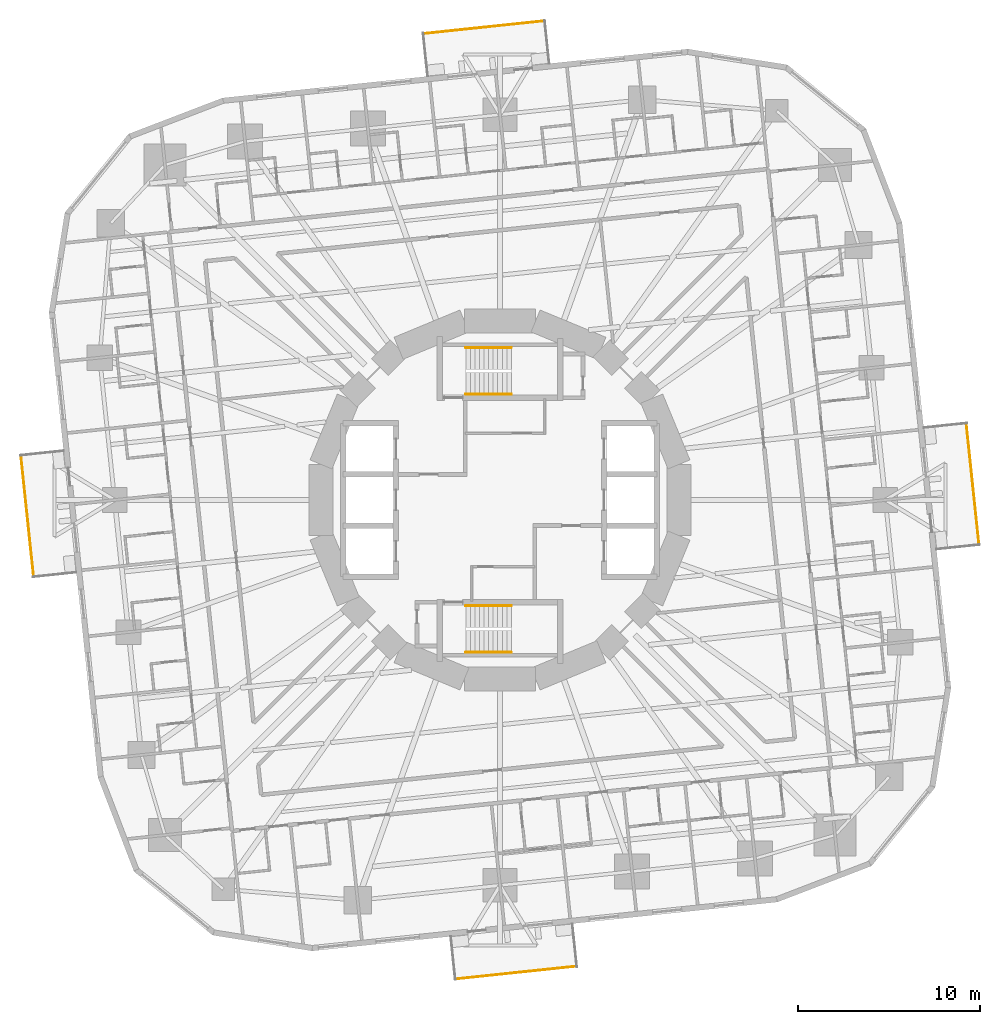
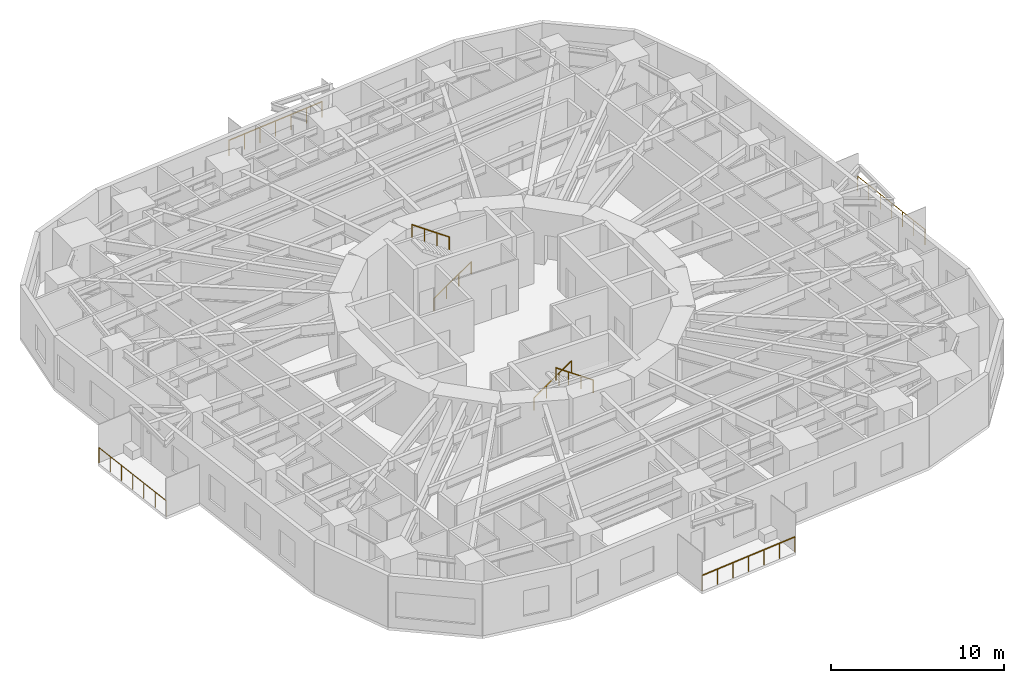
# One storey, part 14 of 15: 8 railings.
"""IFC4 building model written with IfcOpenShell, lengths in metres."""

import ifcopenshell
import ifcopenshell.guid

model = None  # the IFC model being written
_history = None  # IfcOwnerHistory: only IFC2X3 demands one
_inside = {}  # id of a spatial element -> (the spatial element, [elements in it])
_under = {}  # id of a project, library or spatial element -> (it, [spatial elements below it])
_declared = {}  # id of a project -> (the project, [libraries it declares])
_typed = {}  # id of a type object -> (the type object, [elements of that type])
_made_of = {}  # id of a material, layer set ... -> (it, [elements and type objects made of it])


def new_model(schema):
    """Start an empty IFC model of exactly this schema.

    Asked for "IFC4X3", IfcOpenShell would pick the latest addendum, in which some entities
    have other attributes; the version numbers below select the first issue.
    IFC2X3 requires an IfcOwnerHistory on every rooted entity: one is made here for all.
    """
    global model, _history
    if schema == "IFC4X3":
        model = ifcopenshell.file(schema_version=(4, 3, 0, 0))
    else:
        model = ifcopenshell.file(schema=schema)
    _inside.clear()
    _under.clear()
    _declared.clear()
    _typed.clear()
    _made_of.clear()
    _history = None
    if model.schema == "IFC2X3":
        org = make("IfcOrganization", Name="unknown")
        user = make(
            "IfcPersonAndOrganization",
            ThePerson=make("IfcPerson", FamilyName="unknown"),
            TheOrganization=org,
        )
        app = make(
            "IfcApplication",
            ApplicationDeveloper=org,
            Version="unknown",
            ApplicationFullName="unknown",
            ApplicationIdentifier="unknown",
        )
        _history = make(
            "IfcOwnerHistory",
            OwningUser=user,
            OwningApplication=app,
            ChangeAction="ADDED",
            CreationDate=0,
        )
    return model


def make(cls, **values):
    """One entity of the class cls with the attributes given. An attribute that is None is left unset."""
    return model.create_entity(
        cls, **{name: value for name, value in values.items() if value is not None}
    )


def rooted(cls, **values):
    """An entity with a GlobalId (a new one), such as an element, a storey or a relation."""
    return make(cls, GlobalId=ifcopenshell.guid.new(), OwnerHistory=_history, **values)


def si_unit(unit_type, name, prefix=None):
    """IfcSIUnit, for example si_unit("LENGTHUNIT", "METRE", prefix="MILLI")."""
    return make("IfcSIUnit", UnitType=unit_type, Prefix=prefix, Name=name)


def assignment(units):
    """IfcUnitAssignment: the units of a project."""
    return None if units is None else make("IfcUnitAssignment", Units=units)


def point(xyz):
    """IfcCartesianPoint."""
    return None if xyz is None else make("IfcCartesianPoint", Coordinates=xyz)


def direction(xyz):
    """IfcDirection."""
    return None if xyz is None else make("IfcDirection", DirectionRatios=xyz)


def frame(location, z_axis=None, x_axis=None):
    """IfcAxis2Placement3D, a coordinate frame: its origin and axes. An axis left out is left unset."""
    return make(
        "IfcAxis2Placement3D",
        Location=point(location),
        Axis=direction(z_axis),
        RefDirection=direction(x_axis),
    )


def frame_2d(location, x_axis=None):
    """IfcAxis2Placement2D, a coordinate frame in the plane: its origin and x axis."""
    return make(
        "IfcAxis2Placement2D", Location=point(location), RefDirection=direction(x_axis)
    )


def origin():
    """The frame at (0, 0, 0) with its axes left unset."""
    return frame((0.0, 0.0, 0.0))


def origin_2d():
    """The frame at (0, 0) in the plane with its x axis left unset."""
    return frame_2d((0.0, 0.0))


def place(relative_to, where):
    """IfcLocalPlacement: puts the frame where relative to a parent placement (None: the world)."""
    return make(
        "IfcLocalPlacement", PlacementRelTo=relative_to, RelativePlacement=where
    )


def context(
    kind, dimensions, precision=None, world=None, true_north=None, identifier=None
):
    """IfcGeometricRepresentationContext, for example the 3D "Model" context."""
    return make(
        "IfcGeometricRepresentationContext",
        ContextIdentifier=identifier,
        ContextType=kind,
        CoordinateSpaceDimension=dimensions,
        Precision=precision,
        WorldCoordinateSystem=world,
        TrueNorth=true_north,
    )


def subcontext(parent, identifier, kind, view, scale=None):
    """IfcGeometricRepresentationSubContext, for example "Body" below "Model"."""
    return make(
        "IfcGeometricRepresentationSubContext",
        ContextIdentifier=identifier,
        ContextType=kind,
        ParentContext=parent,
        TargetScale=scale,
        TargetView=view,
    )


def project(units=None, contexts=None):
    """IfcProject with its units and contexts."""
    return rooted(
        "IfcProject",
        Name="project",
        RepresentationContexts=contexts,
        UnitsInContext=assignment(units),
    )


def spatial(cls, under=None, at=None, **own):
    """A site, building, storey or space (cls), placed at a placement, below another one or the project."""
    s = rooted(cls, ObjectPlacement=at, **own)
    if under is not None:
        _under.setdefault(under.id(), (under, []))[1].append(s)
    return s


def profile(cls, at=None, kind="AREA", **sizes):
    """A parametric profile (cls). Its sizes go by their IFC names, for example OverallWidth=200.0."""
    return make(cls, ProfileType=kind, Position=at, **sizes)


def circle(**sizes):
    """IfcCircleProfileDef."""
    return profile("IfcCircleProfileDef", **sizes)


def extrude(swept, where, along, depth):
    """IfcExtrudedAreaSolid: the profile swept, set in the frame where, extruded along a direction by depth."""
    return make(
        "IfcExtrudedAreaSolid",
        SweptArea=swept,
        Position=where,
        ExtrudedDirection=direction(along),
        Depth=depth,
    )


def shape(context_of_items, identifier, shape_type, items):
    """IfcShapeRepresentation: the items that make up one representation, for example the "Body"."""
    return make(
        "IfcShapeRepresentation",
        ContextOfItems=context_of_items,
        RepresentationIdentifier=identifier,
        RepresentationType=shape_type,
        Items=items,
    )


def material(Name=None, Category=None):
    """IfcMaterial."""
    return make("IfcMaterial", Name=Name, Category=Category)


def made_of(thing, what):
    """Note that an element or type object is made of a material, layer set ...; save() writes the relation."""
    if what is not None:
        _made_of.setdefault(what.id(), (what, []))[1].append(thing)
    return thing


def type_object(cls, material=None, **own):
    """A type object (cls), such as IfcWallType, which elements share."""
    return made_of(rooted(cls, **own), material)


def element(
    cls,
    number,
    at=None,
    inside=None,
    cuts=None,
    type_object=None,
    material=None,
    context=None,
    identifier="Body",
    shape_type=None,
    held_by="IfcProductDefinitionShape",
    body=None,
    shapes=None,
    **own,
):
    """One element of the class cls, such as IfcWall. Its Tag is "e" and its number.

    at: its placement. inside: the storey or other place that contains it. cuts: it is an
    opening in that element (IfcRelVoidsElement). A single representation is given by context,
    identifier, shape_type and body (its items); several are given by shapes. held_by: the class
    of the entity that holds the representations. save() writes the other relations.
    """
    e = rooted(cls, Tag="e%d" % number, ObjectPlacement=at, **own)
    if body is not None:
        shapes = [shape(context, identifier, shape_type, body)]
    if shapes is not None:
        e.Representation = make(held_by, Representations=shapes)
    if inside is not None:
        _inside.setdefault(inside.id(), (inside, []))[1].append(e)
    if cuts is not None:
        rooted(
            "IfcRelVoidsElement", RelatingBuildingElement=cuts, RelatedOpeningElement=e
        )
    if type_object is not None:
        _typed.setdefault(type_object.id(), (type_object, []))[1].append(e)
    return made_of(e, material)


def aggregate(whole, parts):
    """IfcRelAggregates: a whole, such as a stair, and the parts it consists of."""
    return rooted("IfcRelAggregates", RelatingObject=whole, RelatedObjects=parts)


def save(model, path):
    """Write the relations noted so far, then the file.

    IfcRelAggregates (storeys below a building ...), IfcRelContainedInSpatialStructure (elements
    in a storey), IfcRelDefinesByType, IfcRelAssociatesMaterial and IfcRelDeclares: one each for
    every whole, place, type object, material and project.
    """
    for whole, parts in _under.values():
        aggregate(whole, parts)
    for where, things in _inside.values():
        rooted(
            "IfcRelContainedInSpatialStructure",
            RelatedElements=things,
            RelatingStructure=where,
        )
    for kind, things in _typed.values():
        rooted("IfcRelDefinesByType", RelatedObjects=things, RelatingType=kind)
    for what, things in _made_of.values():
        rooted("IfcRelAssociatesMaterial", RelatedObjects=things, RelatingMaterial=what)
    for by, libraries in _declared.values():
        rooted("IfcRelDeclares", RelatingContext=by, RelatedDefinitions=libraries)
    model.write(path)


model = new_model("IFC4")

# Units and contexts
model_context = context("Model", 3, precision=1e-05, world=origin(), true_north=direction((0.0, 1.0)))
body_context = subcontext(model_context, "Body", "Model", "MODEL_VIEW")
ifc_project = project(units=[si_unit("LENGTHUNIT", "METRE"), si_unit("AREAUNIT", "SQUARE_METRE"), si_unit("VOLUMEUNIT", "CUBIC_METRE"), si_unit("PLANEANGLEUNIT", "RADIAN"), si_unit("MASSUNIT", "GRAM", prefix="KILO")], contexts=[model_context])

# Site, building, storey
site_placement = place(None, origin())
site = spatial("IfcSite", under=ifc_project, at=site_placement, CompositionType="ELEMENT")
building_placement = place(site_placement, origin())
building = spatial("IfcBuilding", under=site, at=building_placement, Name="Nakasero Lantern House", CompositionType="ELEMENT")
storey_placement = place(building_placement, frame((0.0, 0.0, 64.35009765625)))
storey = spatial("IfcBuildingStorey", under=building, at=storey_placement, Name="L15", CompositionType="ELEMENT", Elevation=64.35009765625)

# Railings
ifc_material_1 = material(Name="Aluminium 6063-T6", Category="aluminium")
railing_type_1 = type_object("IfcRailingType", Name="Balcony guard 1100", PredefinedType="BALUSTRADE", material=ifc_material_1)
railing_1_placement = place(storey_placement, frame((26.247802734375, -2.4296875, 0.0)))
element("IfcRailing", 1, at=railing_1_placement, inside=storey, type_object=railing_type_1, Name="Balcony guard L15 BAL0", PredefinedType="BALUSTRADE", context=body_context, shape_type="SweptSolid", body=[
    extrude(circle(Radius=0.02392578125, at=origin_2d()), frame((0.0, 0.0, 1.076171875), z_axis=(-0.104541525597, 0.994520522375, 0.0), x_axis=(-0.994520522375, -0.104541525597, 0.0)), (0.0, 0.0, 1.0), 6.6533203125),
    extrude(circle(Radius=0.02099609375, at=origin_2d()), origin(), (0.0, 0.0, 1.0), 1.052001953125),
    extrude(circle(Radius=0.02099609375, at=origin_2d()), frame((-0.115966796875, 1.102783203125, 0.0)), (0.0, 0.0, 1.0), 1.052001953125),
    extrude(circle(Radius=0.02099609375, at=origin_2d()), frame((-0.23193359375, 2.20556640625, 0.0)), (0.0, 0.0, 1.0), 1.052001953125),
    extrude(circle(Radius=0.02099609375, at=origin_2d()), frame((-0.34765625, 3.30859375, 0.0)), (0.0, 0.0, 1.0), 1.052001953125),
    extrude(circle(Radius=0.02099609375, at=origin_2d()), frame((-0.463623046875, 4.411376953125, 0.0)), (0.0, 0.0, 1.0), 1.052001953125),
    extrude(circle(Radius=0.02099609375, at=origin_2d()), frame((-0.57958984375, 5.51416015625, 0.0)), (0.0, 0.0, 1.0), 1.052001953125),
    extrude(circle(Radius=0.02099609375, at=origin_2d()), frame((-0.695556640625, 6.616943359375, 0.0)), (0.0, 0.0, 1.0), 1.052001953125),
])
railing_2_placement = place(storey_placement, frame((2.4296875, 26.247802734375, 0.0)))
element("IfcRailing", 2, at=railing_2_placement, inside=storey, type_object=railing_type_1, Name="Balcony guard L15 BAL1", PredefinedType="BALUSTRADE", context=body_context, shape_type="SweptSolid", body=[
    extrude(circle(Radius=0.02392578125, at=origin_2d()), frame((0.0, 0.0, 1.076171875), z_axis=(-0.994520522375, -0.104541525597, 0.0), x_axis=(0.104541525597, -0.994520522375, 0.0)), (0.0, 0.0, 1.0), 6.6533203125),
    extrude(circle(Radius=0.02099609375, at=origin_2d()), origin(), (0.0, 0.0, 1.0), 1.052001953125),
    extrude(circle(Radius=0.02099609375, at=origin_2d()), frame((-1.102783203125, -0.115966796875, 0.0)), (0.0, 0.0, 1.0), 1.052001953125),
    extrude(circle(Radius=0.02099609375, at=origin_2d()), frame((-2.20556640625, -0.23193359375, 0.0)), (0.0, 0.0, 1.0), 1.052001953125),
    extrude(circle(Radius=0.02099609375, at=origin_2d()), frame((-3.30859375, -0.34765625, 0.0)), (0.0, 0.0, 1.0), 1.052001953125),
    extrude(circle(Radius=0.02099609375, at=origin_2d()), frame((-4.411376953125, -0.463623046875, 0.0)), (0.0, 0.0, 1.0), 1.052001953125),
    extrude(circle(Radius=0.02099609375, at=origin_2d()), frame((-5.51416015625, -0.57958984375, 0.0)), (0.0, 0.0, 1.0), 1.052001953125),
    extrude(circle(Radius=0.02099609375, at=origin_2d()), frame((-6.616943359375, -0.695556640625, 0.0)), (0.0, 0.0, 1.0), 1.052001953125),
])
railing_3_placement = place(storey_placement, frame((-26.247802734375, 2.4296875, 0.0)))
element("IfcRailing", 3, at=railing_3_placement, inside=storey, type_object=railing_type_1, Name="Balcony guard L15 BAL2", PredefinedType="BALUSTRADE", context=body_context, shape_type="SweptSolid", body=[
    extrude(circle(Radius=0.02392578125, at=origin_2d()), frame((0.0, 0.0, 1.076171875), z_axis=(0.104541525597, -0.994520522375, 0.0), x_axis=(0.994520522375, 0.104541525597, 0.0)), (0.0, 0.0, 1.0), 6.6533203125),
    extrude(circle(Radius=0.02099609375, at=origin_2d()), origin(), (0.0, 0.0, 1.0), 1.052001953125),
    extrude(circle(Radius=0.02099609375, at=origin_2d()), frame((0.115966796875, -1.102783203125, 0.0)), (0.0, 0.0, 1.0), 1.052001953125),
    extrude(circle(Radius=0.02099609375, at=origin_2d()), frame((0.23193359375, -2.20556640625, 0.0)), (0.0, 0.0, 1.0), 1.052001953125),
    extrude(circle(Radius=0.02099609375, at=origin_2d()), frame((0.34765625, -3.30859375, 0.0)), (0.0, 0.0, 1.0), 1.052001953125),
    extrude(circle(Radius=0.02099609375, at=origin_2d()), frame((0.463623046875, -4.411376953125, 0.0)), (0.0, 0.0, 1.0), 1.052001953125),
    extrude(circle(Radius=0.02099609375, at=origin_2d()), frame((0.57958984375, -5.51416015625, 0.0)), (0.0, 0.0, 1.0), 1.052001953125),
    extrude(circle(Radius=0.02099609375, at=origin_2d()), frame((0.695556640625, -6.616943359375, 0.0)), (0.0, 0.0, 1.0), 1.052001953125),
])
railing_4_placement = place(storey_placement, frame((-2.4296875, -26.247802734375, 0.0)))
element("IfcRailing", 4, at=railing_4_placement, inside=storey, type_object=railing_type_1, Name="Balcony guard L15 BAL3", PredefinedType="BALUSTRADE", context=body_context, shape_type="SweptSolid", body=[
    extrude(circle(Radius=0.02392578125, at=origin_2d()), frame((0.0, 0.0, 1.076171875), z_axis=(0.994520522375, 0.104541525597, 0.0), x_axis=(-0.104541525597, 0.994520522375, 0.0)), (0.0, 0.0, 1.0), 6.6533203125),
    extrude(circle(Radius=0.02099609375, at=origin_2d()), origin(), (0.0, 0.0, 1.0), 1.052001953125),
    extrude(circle(Radius=0.02099609375, at=origin_2d()), frame((1.102783203125, 0.115966796875, 0.0)), (0.0, 0.0, 1.0), 1.052001953125),
    extrude(circle(Radius=0.02099609375, at=origin_2d()), frame((2.20556640625, 0.23193359375, 0.0)), (0.0, 0.0, 1.0), 1.052001953125),
    extrude(circle(Radius=0.02099609375, at=origin_2d()), frame((3.30859375, 0.34765625, 0.0)), (0.0, 0.0, 1.0), 1.052001953125),
    extrude(circle(Radius=0.02099609375, at=origin_2d()), frame((4.411376953125, 0.463623046875, 0.0)), (0.0, 0.0, 1.0), 1.052001953125),
    extrude(circle(Radius=0.02099609375, at=origin_2d()), frame((5.51416015625, 0.57958984375, 0.0)), (0.0, 0.0, 1.0), 1.052001953125),
    extrude(circle(Radius=0.02099609375, at=origin_2d()), frame((6.616943359375, 0.695556640625, 0.0)), (0.0, 0.0, 1.0), 1.052001953125),
])
ifc_material_2 = material(Name="Stainless steel 316", Category="steel")
railing_type_2 = type_object("IfcRailingType", Name="Stair handrail 900", PredefinedType="HANDRAIL", material=ifc_material_2)
railing_5_placement = place(storey_placement, frame((-1.875, 5.800048828125, 0.1748046875)))
element("IfcRailing", 5, at=railing_5_placement, inside=storey, type_object=railing_type_2, Name="Handrail ST1 L15 flight 1", PredefinedType="HANDRAIL", context=body_context, shape_type="SweptSolid", body=[
    extrude(circle(Radius=0.02392578125, at=origin_2d()), frame((0.0, 0.0, 0.8759765625), z_axis=(0.819231920519, 0.0, 0.573462344363), x_axis=(0.0, 1.0, 0.0)), (0.0, 0.0, 1.0), 3.0517578125),
    extrude(circle(Radius=0.02099609375, at=origin_2d()), origin(), (0.0, 0.0, 1.0), 0.851806640625),
    extrude(circle(Radius=0.02099609375, at=origin_2d()), frame((0.833251953125, 0.0, 0.583251953125)), (0.0, 0.0, 1.0), 0.851806640625),
    extrude(circle(Radius=0.02099609375, at=origin_2d()), frame((1.666748046875, 0.0, 1.166748046875)), (0.0, 0.0, 1.0), 0.851806640625),
    extrude(circle(Radius=0.02099609375, at=origin_2d()), frame((2.5, 0.0, 1.75)), (0.0, 0.0, 1.0), 0.851806640625),
])
railing_6_placement = place(storey_placement, frame((0.625, 8.35009765625, 2.099853515625)))
element("IfcRailing", 6, at=railing_6_placement, inside=storey, type_object=railing_type_2, Name="Handrail ST1 L15 flight 2", PredefinedType="HANDRAIL", context=body_context, shape_type="SweptSolid", body=[
    extrude(circle(Radius=0.02392578125, at=origin_2d()), frame((0.0, 0.0, 0.8759765625), z_axis=(-0.819231920519, 0.0, 0.573462344363), x_axis=(0.0, -1.0, 0.0)), (0.0, 0.0, 1.0), 3.0517578125),
    extrude(circle(Radius=0.02099609375, at=origin_2d()), origin(), (0.0, 0.0, 1.0), 0.851806640625),
    extrude(circle(Radius=0.02099609375, at=origin_2d()), frame((-0.833251953125, 0.0, 0.583251953125)), (0.0, 0.0, 1.0), 0.851806640625),
    extrude(circle(Radius=0.02099609375, at=origin_2d()), frame((-1.666748046875, 0.0, 1.166748046875)), (0.0, 0.0, 1.0), 0.851806640625),
    extrude(circle(Radius=0.02099609375, at=origin_2d()), frame((-2.5, 0.0, 1.75)), (0.0, 0.0, 1.0), 0.851806640625),
])
railing_7_placement = place(storey_placement, frame((-1.875, -5.800048828125, 0.1748046875)))
element("IfcRailing", 7, at=railing_7_placement, inside=storey, type_object=railing_type_2, Name="Handrail ST2 L15 flight 1", PredefinedType="HANDRAIL", context=body_context, shape_type="SweptSolid", body=[
    extrude(circle(Radius=0.02392578125, at=origin_2d()), frame((0.0, 0.0, 0.8759765625), z_axis=(0.819231920519, 0.0, 0.573462344363), x_axis=(0.0, 1.0, 0.0)), (0.0, 0.0, 1.0), 3.0517578125),
    extrude(circle(Radius=0.02099609375, at=origin_2d()), origin(), (0.0, 0.0, 1.0), 0.851806640625),
    extrude(circle(Radius=0.02099609375, at=origin_2d()), frame((0.833251953125, 0.0, 0.583251953125)), (0.0, 0.0, 1.0), 0.851806640625),
    extrude(circle(Radius=0.02099609375, at=origin_2d()), frame((1.666748046875, 0.0, 1.166748046875)), (0.0, 0.0, 1.0), 0.851806640625),
    extrude(circle(Radius=0.02099609375, at=origin_2d()), frame((2.5, 0.0, 1.75)), (0.0, 0.0, 1.0), 0.851806640625),
])
railing_8_placement = place(storey_placement, frame((0.625, -8.35009765625, 2.099853515625)))
element("IfcRailing", 8, at=railing_8_placement, inside=storey, type_object=railing_type_2, Name="Handrail ST2 L15 flight 2", PredefinedType="HANDRAIL", context=body_context, shape_type="SweptSolid", body=[
    extrude(circle(Radius=0.02392578125, at=origin_2d()), frame((0.0, 0.0, 0.8759765625), z_axis=(-0.819231920519, 0.0, 0.573462344363), x_axis=(0.0, -1.0, 0.0)), (0.0, 0.0, 1.0), 3.0517578125),
    extrude(circle(Radius=0.02099609375, at=origin_2d()), origin(), (0.0, 0.0, 1.0), 0.851806640625),
    extrude(circle(Radius=0.02099609375, at=origin_2d()), frame((-0.833251953125, 0.0, 0.583251953125)), (0.0, 0.0, 1.0), 0.851806640625),
    extrude(circle(Radius=0.02099609375, at=origin_2d()), frame((-1.666748046875, 0.0, 1.166748046875)), (0.0, 0.0, 1.0), 0.851806640625),
    extrude(circle(Radius=0.02099609375, at=origin_2d()), frame((-2.5, 0.0, 1.75)), (0.0, 0.0, 1.0), 0.851806640625),
])

save(model, "model.ifc")
